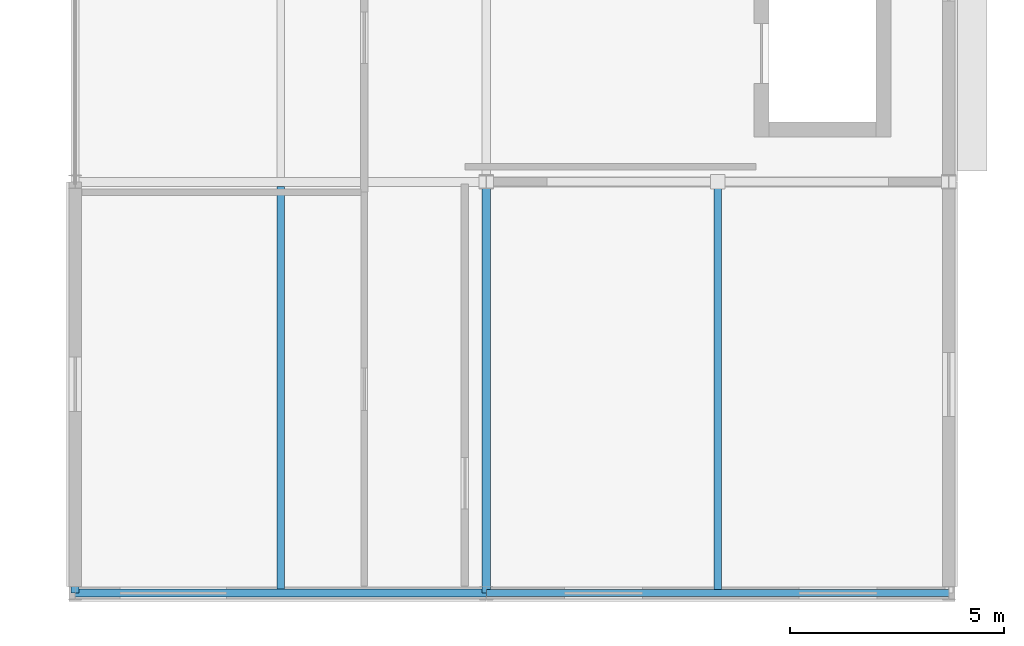
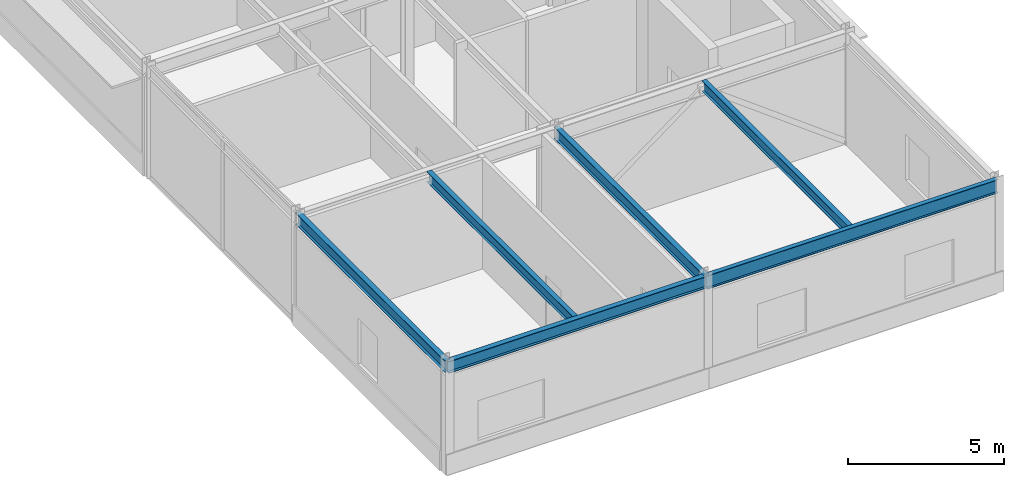
# One storey, part 3 of 18: 6 beams.
"""IFC4 building model written with IfcOpenShell, lengths in metres."""

from ifc_helpers import new_model, si_unit, direction, frame, origin, origin_2d, place, context, subcontext, project, spatial, i_section, extrude, material, material_profile, profile_set, type_object, element, save


model = new_model("IFC4")

# Units and contexts
model_context = context("Model", 3, precision=1e-05, world=origin(), true_north=direction((0.0, 1.0)))
body_context = subcontext(model_context, "Body", "Model", "MODEL_VIEW")
ifc_project = project(units=[si_unit("LENGTHUNIT", "METRE"), si_unit("AREAUNIT", "SQUARE_METRE"), si_unit("VOLUMEUNIT", "CUBIC_METRE"), si_unit("PLANEANGLEUNIT", "RADIAN"), si_unit("MASSUNIT", "GRAM", prefix="KILO")], contexts=[model_context])

# Site, building, storey
site_placement = place(None, origin())
site = spatial("IfcSite", under=ifc_project, at=site_placement, CompositionType="ELEMENT")
building_placement = place(site_placement, origin())
building = spatial("IfcBuilding", under=site, at=building_placement, Name="Almandine Court Research Institute", CompositionType="ELEMENT")
storey_placement = place(building_placement, frame((0.0, 0.0, 37.10009765625)))
storey = spatial("IfcBuildingStorey", under=building, at=storey_placement, Name="L08", CompositionType="ELEMENT", Elevation=37.10009765625)

# Beams
ifc_material = material(Name="Steel ASTM A992 Grade 50", Category="steel")
ifc_material_profile_1 = material_profile(ifc_material, i_section(OverallWidth=0.18994140625, OverallDepth=0.45703125, WebThickness=0.009033203125, FlangeThickness=0.014892578125, at=origin_2d()), Name="W460x74")
ifc_profile_set_1 = profile_set([ifc_material_profile_1], Name="Steel ASTM A992 Grade 50")
beam_type_1 = type_object("IfcBeamType", Name="Beam-B-01", PredefinedType="BEAM", material=ifc_profile_set_1)
for number, where, z_axis, x_axis, name in (
    (1, (153.60009765625, 6.0, 4.156982421875), (0.0, 1.0, 0.0), (-1.0, 0.0, 0.0), "L08 V4 Primary Y Girder"),
    (2, (163.199951171875, 6.0, 4.156982421875), (0.0, 1.0, 0.0), (-1.0, 0.0, 0.0), "L08 V4 Primary Y Girder"),
):
    element("IfcBeam", number, at=place(storey_placement, frame(where, z_axis=z_axis, x_axis=x_axis)), inside=storey, type_object=beam_type_1, Name=name, PredefinedType="BEAM", context=body_context, shape_type="SweptSolid", body=[
        extrude(i_section(OverallWidth=0.18994140625, OverallDepth=0.45703125, WebThickness=0.009033203125, FlangeThickness=0.014892578125, at=origin_2d()), origin(), (0.0, 0.0, 1.0), 9.60009765625),
    ])
ifc_material_profile_2 = material_profile(ifc_material, i_section(OverallWidth=0.178955078125, OverallDepth=0.409912109375, WebThickness=0.009033203125, FlangeThickness=0.013916015625, at=origin_2d()), Name="W410x67")
ifc_profile_set_2 = profile_set([ifc_material_profile_2], Name="Steel ASTM A992 Grade 50")
beam_type_2 = type_object("IfcBeamType", Name="Beam-B-02", PredefinedType="JOIST", material=ifc_profile_set_2)
beam_1_placement = place(storey_placement, frame((158.39990234375, 6.094970703125, 4.179931640625), z_axis=(0.0, 1.0, 0.0), x_axis=(-1.0, 0.0, 0.0)))
element("IfcBeam", 3, at=beam_1_placement, inside=storey, type_object=beam_type_2, Name="L08 V4 Composite Secondary Beam", PredefinedType="JOIST", context=body_context, shape_type="SweptSolid", body=[
    extrude(i_section(OverallWidth=0.178955078125, OverallDepth=0.409912109375, WebThickness=0.009033203125, FlangeThickness=0.013916015625, at=origin_2d()), origin(), (0.0, 0.0, 1.0), 9.401123046875),
])
beam_2_placement = place(storey_placement, frame((168.60009765625, 6.0810546875, 4.179931640625), z_axis=(0.0, 1.0, 0.0), x_axis=(-1.0, 0.0, 0.0)))
element("IfcBeam", 4, at=beam_2_placement, inside=storey, type_object=beam_type_2, Name="L08 V4 Composite Secondary Beam", PredefinedType="JOIST", context=body_context, shape_type="SweptSolid", body=[
    extrude(i_section(OverallWidth=0.178955078125, OverallDepth=0.409912109375, WebThickness=0.009033203125, FlangeThickness=0.013916015625, at=origin_2d()), origin(), (0.0, 0.0, 1.0), 9.406005859375),
])
ifc_material_profile_3 = material_profile(ifc_material, i_section(OverallWidth=0.166015625, OverallDepth=0.534912109375, WebThickness=0.010009765625, FlangeThickness=0.01708984375, at=origin_2d()), Name="W530x85")
ifc_profile_set_3 = profile_set([ifc_material_profile_3], Name="Steel ASTM A992 Grade 50")
beam_type_3 = type_object("IfcBeamType", Name="Beam-G-05-E", PredefinedType="SPANDREL", material=ifc_profile_set_3)
beam_3_placement = place(storey_placement, frame((163.199951171875, 6.0, 4.117919921875), z_axis=(1.0, 0.0, 0.0), x_axis=(0.0, 1.0, 0.0)))
element("IfcBeam", 5, at=beam_3_placement, inside=storey, type_object=beam_type_3, Name="L08 V4 Primary X Girder", PredefinedType="SPANDREL", context=body_context, shape_type="SweptSolid", body=[
    extrude(i_section(OverallWidth=0.166015625, OverallDepth=0.534912109375, WebThickness=0.010009765625, FlangeThickness=0.01708984375, at=origin_2d()), origin(), (0.0, 0.0, 1.0), 10.800048828125),
])
ifc_material_profile_4 = material_profile(ifc_material, i_section(OverallWidth=0.193115234375, OverallDepth=0.466064453125, WebThickness=0.010986328125, FlangeThickness=0.01904296875, at=origin_2d()), Name="W460x97")
ifc_profile_set_4 = profile_set([ifc_material_profile_4], Name="Steel ASTM A992 Grade 50")
beam_type_4 = type_object("IfcBeamType", Name="Beam-G-06-E", PredefinedType="SPANDREL", material=ifc_profile_set_4)
beam_4_placement = place(storey_placement, frame((153.60009765625, 6.0, 4.15185546875), z_axis=(1.0, 0.0, 0.0), x_axis=(0.0, 1.0, 0.0)))
element("IfcBeam", 6, at=beam_4_placement, inside=storey, type_object=beam_type_4, Name="L08 V4 Primary X Girder", PredefinedType="SPANDREL", context=body_context, shape_type="SweptSolid", body=[
    extrude(i_section(OverallWidth=0.193115234375, OverallDepth=0.466064453125, WebThickness=0.010986328125, FlangeThickness=0.01904296875, at=origin_2d()), origin(), (0.0, 0.0, 1.0), 9.599853515625),
])

save(model, "model.ifc")
